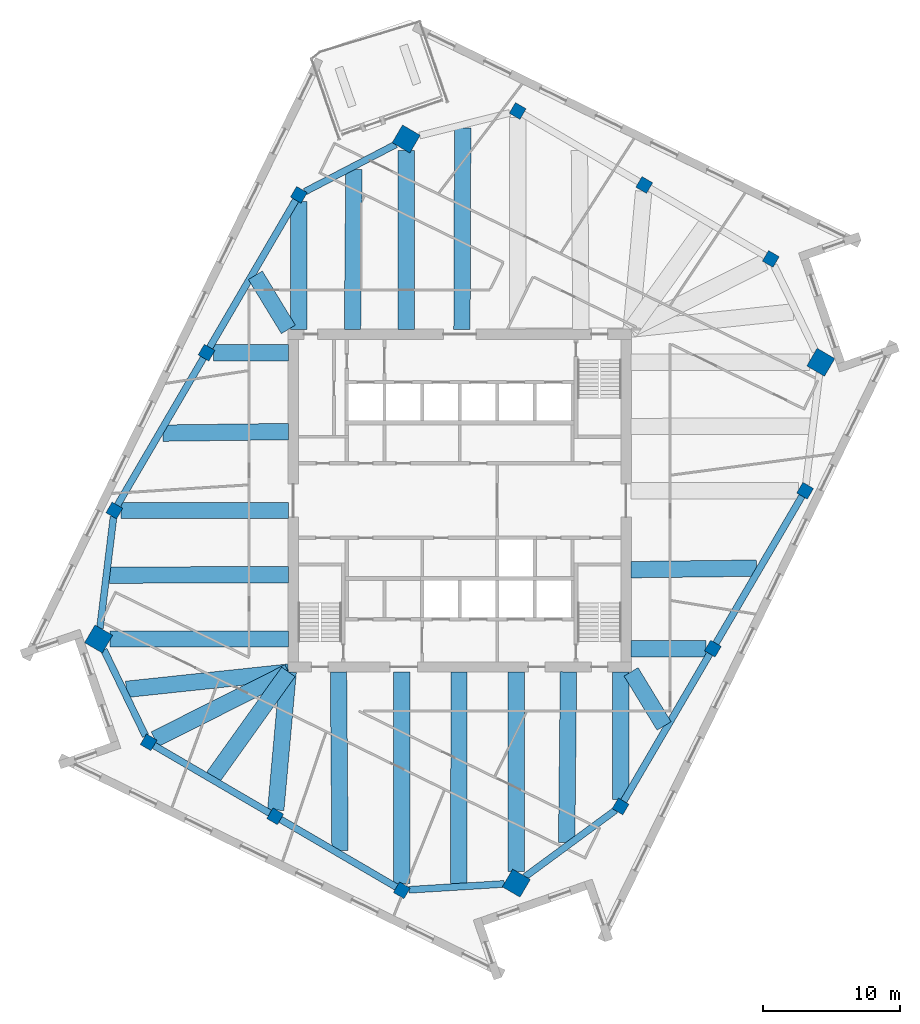
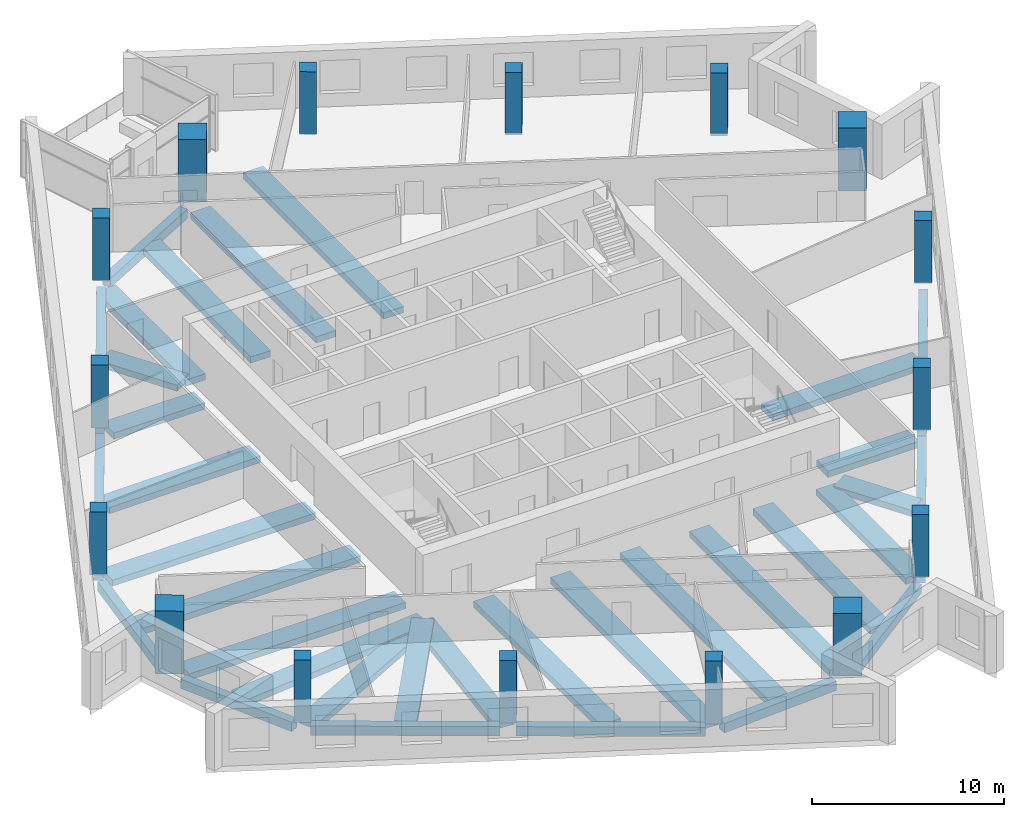
# One storey, part 1 of 13: 34 beams, 16 columns.
"""IFC4 building model written with IfcOpenShell, lengths in metres."""

from ifc_helpers import new_model, si_unit, direction, frame, origin, origin_2d, place, context, subcontext, project, spatial, rectangle, extrude, material, material_profile, profile_set, type_object, element, save


model = new_model("IFC4")

# Units and contexts
model_context = context("Model", 3, precision=1e-05, world=origin(), true_north=direction((0.0, 1.0)))
body_context = subcontext(model_context, "Body", "Model", "MODEL_VIEW")
ifc_project = project(units=[si_unit("LENGTHUNIT", "METRE"), si_unit("AREAUNIT", "SQUARE_METRE"), si_unit("VOLUMEUNIT", "CUBIC_METRE"), si_unit("PLANEANGLEUNIT", "RADIAN"), si_unit("MASSUNIT", "GRAM", prefix="KILO")], contexts=[model_context])

# Site, building, storey
site_placement = place(None, origin())
site = spatial("IfcSite", under=ifc_project, at=site_placement, CompositionType="ELEMENT")
building_placement = place(site_placement, origin())
building = spatial("IfcBuilding", under=site, at=building_placement, Name="Dilmun Exchange Tower", CompositionType="ELEMENT")
storey_placement = place(building_placement, frame((0.0, 0.0, 282.89990234375)))
storey = spatial("IfcBuildingStorey", under=building, at=storey_placement, Name="L67", CompositionType="ELEMENT", Elevation=282.89990234375)

# Columns
ifc_material_1 = material(Name="Concrete C50/60", Category="concrete")
ifc_material_profile_1 = material_profile(ifc_material_1, rectangle(XDim=1.5, YDim=1.5, at=origin_2d()), Name="1500 x 1500")
ifc_profile_set_1 = profile_set([ifc_material_profile_1], Name="Concrete C50/60")
column_type_1 = type_object("IfcColumnType", Name="RC mega column 1500 x 1500 C50/60", PredefinedType="COLUMN", material=ifc_profile_set_1)
for number, where, z_axis, x_axis, name in (
    (1, (-3.9150390625, 26.45703125, 0.0), (0.0, 0.0, 1.0), (0.504643651291, 0.863327739165, 0.0), "Mega column M1"),
    (2, (-26.4150390625, -10.1220703125, 0.0), (0.0, 0.0, 1.0), (0.504643651291, 0.863327739165, 0.0), "Mega column M2"),
    (3, (4.14111328125, -27.98291015625, 0.0), (0.0, 0.0, 1.0), (0.504643651291, 0.863327739165, 0.0), "Mega column M3"),
    (4, (26.4150390625, 10.1220703125, 0.0), (0.0, 0.0, 1.0), (0.504643651291, 0.863327739165, 0.0), "Mega column M4"),
):
    element("IfcColumn", number, at=place(storey_placement, frame(where, z_axis=z_axis, x_axis=x_axis)), inside=storey, type_object=column_type_1, Name=name, PredefinedType="COLUMN", context=body_context, shape_type="SweptSolid", body=[
        extrude(rectangle(XDim=1.5, YDim=1.5, at=origin_2d()), origin(), (0.0, 0.0, 1.0), 4.0),
    ])
ifc_material_profile_2 = material_profile(ifc_material_1, rectangle(XDim=0.89990234375, YDim=0.89990234375, at=origin_2d()), Name="900 x 900")
ifc_profile_set_2 = profile_set([ifc_material_profile_2], Name="Concrete C50/60")
column_type_2 = type_object("IfcColumnType", Name="RC ring column 900 x 900 C50/60", PredefinedType="COLUMN", material=ifc_profile_set_2)
for number, where, z_axis, x_axis, name in (
    (5, (-11.76904296875, 22.3720703125, 0.0), (0.0, 0.0, 1.0), (0.504643651291, 0.863327739165, 0.0), "Ring column R01"),
    (6, (-18.51806640625, 10.824951171875, 0.0), (0.0, 0.0, 1.0), (0.504643651291, 0.863327739165, 0.0), "Ring column R02"),
    (7, (-25.26806640625, -0.721923828125, 0.0), (0.0, 0.0, 1.0), (0.504643651291, 0.863327739165, 0.0), "Ring column R03"),
    (8, (-22.758056640625, -17.681884765625, 0.0), (0.0, 0.0, 1.0), (0.504643651291, 0.863327739165, 0.0), "Ring column R04"),
    (9, (-13.4990234375, -23.093994140625, 0.0), (0.0, 0.0, 1.0), (0.504643651291, 0.863327739165, 0.0), "Ring column R05"),
    (10, (-4.239990234375, -28.506103515625, 0.0), (0.0, 0.0, 1.0), (0.504643651291, 0.863327739165, 0.0), "Ring column R06"),
    (11, (11.76904296875, -22.3720703125, 0.0), (0.0, 0.0, 1.0), (0.504643651291, 0.863327739165, 0.0), "Ring column R07"),
    (12, (18.51806640625, -10.824951171875, 0.0), (0.0, 0.0, 1.0), (0.504643651291, 0.863327739165, 0.0), "Ring column R08"),
    (13, (25.26806640625, 0.721923828125, 0.0), (0.0, 0.0, 1.0), (0.504643651291, 0.863327739165, 0.0), "Ring column R09"),
    (14, (22.758056640625, 17.681884765625, 0.0), (0.0, 0.0, 1.0), (0.504643651291, 0.863327739165, 0.0), "Ring column R10"),
    (15, (13.4990234375, 23.093994140625, 0.0), (0.0, 0.0, 1.0), (0.504643651291, 0.863327739165, 0.0), "Ring column R11"),
    (16, (4.239990234375, 28.506103515625, 0.0), (0.0, 0.0, 1.0), (0.504643651291, 0.863327739165, 0.0), "Ring column R12"),
):
    element("IfcColumn", number, at=place(storey_placement, frame(where, z_axis=z_axis, x_axis=x_axis)), inside=storey, type_object=column_type_2, Name=name, PredefinedType="COLUMN", context=body_context, shape_type="SweptSolid", body=[
        extrude(rectangle(XDim=0.89990234375, YDim=0.89990234375, at=origin_2d()), origin(), (0.0, 0.0, 1.0), 4.0),
    ])

# Beams
ifc_material_2 = material(Name="Concrete C40/50", Category="concrete")
ifc_material_profile_3 = material_profile(ifc_material_2, rectangle(XDim=1.199951171875, YDim=0.39990234375, at=origin_2d()), Name="1200 x 400")
ifc_profile_set_3 = profile_set([ifc_material_profile_3], Name="Concrete C40/50")
beam_type_1 = type_object("IfcBeamType", Name="RC band beam 1200 x 400 C40/50", PredefinedType="BEAM", material=ifc_profile_set_3)
beam_1_placement = place(storey_placement, frame((-3.9150390625, 25.615234375, -0.659912109375), z_axis=(0.0, -1.0, 0.0), x_axis=(1.0, 0.0, 0.0)))
element("IfcBeam", 17, at=beam_1_placement, inside=storey, type_object=beam_type_1, Name="Band beam 1", PredefinedType="BEAM", context=body_context, shape_type="SweptSolid", body=[
    extrude(rectangle(XDim=1.199951171875, YDim=0.39990234375, at=origin_2d()), origin(), (0.0, 0.0, 1.0), 13.09228515625),
])
beam_2_placement = place(storey_placement, frame((-11.76904296875, 21.877685546875, -0.659912109375), z_axis=(0.0, -1.0, 0.0), x_axis=(1.0, 0.0, 0.0)))
element("IfcBeam", 18, at=beam_2_placement, inside=storey, type_object=beam_type_1, Name="Band beam 2", PredefinedType="BEAM", context=body_context, shape_type="SweptSolid", body=[
    extrude(rectangle(XDim=1.199951171875, YDim=0.39990234375, at=origin_2d()), origin(), (0.0, 0.0, 1.0), 9.354736328125),
])
beam_3_placement = place(storey_placement, frame((-18.023681640625, 10.824951171875, -0.659912109375), z_axis=(1.0, 0.0, 0.0), x_axis=(0.0, 1.0, 0.0)))
element("IfcBeam", 19, at=beam_3_placement, inside=storey, type_object=beam_type_1, Name="Band beam 3", PredefinedType="BEAM", context=body_context, shape_type="SweptSolid", body=[
    extrude(rectangle(XDim=1.199951171875, YDim=0.39990234375, at=origin_2d()), origin(), (0.0, 0.0, 1.0), 5.500732421875),
])
beam_4_placement = place(storey_placement, frame((-24.773681640625, -0.721923828125, -0.659912109375), z_axis=(1.0, 0.0, 0.0), x_axis=(0.0, 1.0, 0.0)))
element("IfcBeam", 20, at=beam_4_placement, inside=storey, type_object=beam_type_1, Name="Band beam 4", PredefinedType="BEAM", context=body_context, shape_type="SweptSolid", body=[
    extrude(rectangle(XDim=1.199951171875, YDim=0.39990234375, at=origin_2d()), origin(), (0.0, 0.0, 1.0), 12.250732421875),
])
beam_5_placement = place(storey_placement, frame((-25.5732421875, -10.1220703125, -0.659912109375), z_axis=(1.0, 0.0, 0.0), x_axis=(0.0, 1.0, 0.0)))
element("IfcBeam", 21, at=beam_5_placement, inside=storey, type_object=beam_type_1, Name="Band beam 5", PredefinedType="BEAM", context=body_context, shape_type="SweptSolid", body=[
    extrude(rectangle(XDim=1.199951171875, YDim=0.39990234375, at=origin_2d()), origin(), (0.0, 0.0, 1.0), 13.05029296875),
])
beam_6_placement = place(storey_placement, frame((-22.302734375, -17.453125, -0.659912109375), z_axis=(0.893443377394, 0.449175835716, 0.0), x_axis=(-0.449175835716, 0.893443377394, 0.0)))
element("IfcBeam", 22, at=beam_6_placement, inside=storey, type_object=beam_type_1, Name="Band beam 6", PredefinedType="BEAM", context=body_context, shape_type="SweptSolid", body=[
    extrude(rectangle(XDim=1.199951171875, YDim=0.39990234375, at=origin_2d()), origin(), (0.0, 0.0, 1.0), 10.94287109375),
])
beam_7_placement = place(storey_placement, frame((-13.456787109375, -22.625732421875, -0.659912109375), z_axis=(0.089632924375, 0.995974868593, 0.0), x_axis=(-0.995974868593, 0.089632924375, 0.0)))
element("IfcBeam", 23, at=beam_7_placement, inside=storey, type_object=beam_type_1, Name="Band beam 7", PredefinedType="BEAM", context=body_context, shape_type="SweptSolid", body=[
    extrude(rectangle(XDim=1.199951171875, YDim=0.39990234375, at=origin_2d()), origin(), (0.0, 0.0, 1.0), 10.143310546875),
])
beam_8_placement = place(storey_placement, frame((-4.239990234375, -28.01171875, -0.659912109375), z_axis=(0.0, 1.0, 0.0), x_axis=(-1.0, 0.0, 0.0)))
element("IfcBeam", 24, at=beam_8_placement, inside=storey, type_object=beam_type_1, Name="Band beam 8", PredefinedType="BEAM", context=body_context, shape_type="SweptSolid", body=[
    extrude(rectangle(XDim=1.199951171875, YDim=0.39990234375, at=origin_2d()), origin(), (0.0, 0.0, 1.0), 15.48876953125),
])
beam_9_placement = place(storey_placement, frame((4.14111328125, -27.141357421875, -0.659912109375), z_axis=(0.0, 1.0, 0.0), x_axis=(-1.0, 0.0, 0.0)))
element("IfcBeam", 25, at=beam_9_placement, inside=storey, type_object=beam_type_1, Name="Band beam 9", PredefinedType="BEAM", context=body_context, shape_type="SweptSolid", body=[
    extrude(rectangle(XDim=1.199951171875, YDim=0.39990234375, at=origin_2d()), origin(), (0.0, 0.0, 1.0), 14.618408203125),
])
beam_10_placement = place(storey_placement, frame((11.76904296875, -21.877685546875, -0.659912109375), z_axis=(0.0, 1.0, 0.0), x_axis=(-1.0, 0.0, 0.0)))
element("IfcBeam", 26, at=beam_10_placement, inside=storey, type_object=beam_type_1, Name="Band beam 10", PredefinedType="BEAM", context=body_context, shape_type="SweptSolid", body=[
    extrude(rectangle(XDim=1.199951171875, YDim=0.39990234375, at=origin_2d()), origin(), (0.0, 0.0, 1.0), 9.354736328125),
])
beam_11_placement = place(storey_placement, frame((18.023681640625, -10.824951171875, -0.659912109375), z_axis=(-1.0, 0.0, 0.0), x_axis=(0.0, -1.0, 0.0)))
element("IfcBeam", 27, at=beam_11_placement, inside=storey, type_object=beam_type_1, Name="Band beam 11", PredefinedType="BEAM", context=body_context, shape_type="SweptSolid", body=[
    extrude(rectangle(XDim=1.199951171875, YDim=0.39990234375, at=origin_2d()), origin(), (0.0, 0.0, 1.0), 5.500732421875),
])
beam_12_placement = place(storey_placement, frame((-7.739013671875, 24.216796875, -0.559814453125), z_axis=(-0.008810046818, -0.999961190784, 0.0), x_axis=(0.999961190784, -0.008810046818, 0.0)))
element("IfcBeam", 28, at=beam_12_placement, inside=storey, type_object=beam_type_1, Name="Band beam 17", PredefinedType="BEAM", context=body_context, shape_type="SweptSolid", body=[
    extrude(rectangle(XDim=1.199951171875, YDim=0.39990234375, at=origin_2d()), origin(), (0.0, 0.0, 1.0), 11.6943359375),
])
beam_13_placement = place(storey_placement, frame((-14.950927734375, 16.486083984375, -0.559814453125), z_axis=(0.520868546878, -0.853636899901, 0.0), x_axis=(0.853636899901, 0.520868546878, 0.0)))
element("IfcBeam", 29, at=beam_13_placement, inside=storey, type_object=beam_type_1, Name="Band beam 18", PredefinedType="BEAM", context=body_context, shape_type="SweptSolid", body=[
    extrude(rectangle(XDim=1.199951171875, YDim=0.39990234375, at=origin_2d()), origin(), (0.0, 0.0, 1.0), 4.637451171875),
])
beam_14_placement = place(storey_placement, frame((-21.700439453125, 4.93896484375, -0.559814453125), z_axis=(0.999924810861, 0.01226265164, 0.0), x_axis=(-0.01226265164, 0.999924810861, 0.0)))
element("IfcBeam", 30, at=beam_14_placement, inside=storey, type_object=beam_type_1, Name="Band beam 19", PredefinedType="BEAM", context=body_context, shape_type="SweptSolid", body=[
    extrude(rectangle(XDim=1.199951171875, YDim=0.39990234375, at=origin_2d()), origin(), (0.0, 0.0, 1.0), 9.17822265625),
])
beam_15_placement = place(storey_placement, frame((-25.6201171875, -5.448974609375, -0.559814453125), z_axis=(0.999997897774, 0.002050474756, 0.0), x_axis=(-0.002050474756, 0.999997897774, 0.0)))
element("IfcBeam", 31, at=beam_15_placement, inside=storey, type_object=beam_type_1, Name="Band beam 20", PredefinedType="BEAM", context=body_context, shape_type="SweptSolid", body=[
    extrude(rectangle(XDim=1.199951171875, YDim=0.39990234375, at=origin_2d()), origin(), (0.0, 0.0, 1.0), 13.09716796875),
])
beam_16_placement = place(storey_placement, frame((-24.3857421875, -13.804931640625, -0.559814453125), z_axis=(0.994425543871, 0.105441157505, 0.0), x_axis=(-0.105441157505, 0.994425543871, 0.0)))
element("IfcBeam", 32, at=beam_16_placement, inside=storey, type_object=beam_type_1, Name="Band beam 21", PredefinedType="BEAM", context=body_context, shape_type="SweptSolid", body=[
    extrude(rectangle(XDim=1.199951171875, YDim=0.39990234375, at=origin_2d()), origin(), (0.0, 0.0, 1.0), 11.928955078125),
])
beam_17_placement = place(storey_placement, frame((-18.01611328125, -20.195556640625, -0.559814453125), z_axis=(0.581600762294, 0.81347437163, 0.0), x_axis=(-0.81347437163, 0.581600762294, 0.0)))
element("IfcBeam", 33, at=beam_17_placement, inside=storey, type_object=beam_type_1, Name="Band beam 22", PredefinedType="BEAM", context=body_context, shape_type="SweptSolid", body=[
    extrude(rectangle(XDim=1.199951171875, YDim=0.39990234375, at=origin_2d()), origin(), (0.0, 0.0, 1.0), 9.425537109375),
])
beam_18_placement = place(storey_placement, frame((-8.757080078125, -25.607421875, -0.559814453125), z_axis=(-0.008582734208, 0.999963167658, 0.0), x_axis=(-0.999963167658, -0.008582734208, 0.0)))
element("IfcBeam", 34, at=beam_18_placement, inside=storey, type_object=beam_type_1, Name="Band beam 23", PredefinedType="BEAM", context=body_context, shape_type="SweptSolid", body=[
    extrude(rectangle(XDim=1.199951171875, YDim=0.39990234375, at=origin_2d()), origin(), (0.0, 0.0, 1.0), 13.0849609375),
])
beam_19_placement = place(storey_placement, frame((-0.0634765625, -28.02197265625, -0.559814453125), z_axis=(0.000897863667, 0.99999959692, 0.0), x_axis=(-0.99999959692, 0.000897863667, 0.0)))
element("IfcBeam", 35, at=beam_19_placement, inside=storey, type_object=beam_type_1, Name="Band beam 24", PredefinedType="BEAM", context=body_context, shape_type="SweptSolid", body=[
    extrude(rectangle(XDim=1.199951171875, YDim=0.39990234375, at=origin_2d()), origin(), (0.0, 0.0, 1.0), 15.4990234375),
])
beam_20_placement = place(storey_placement, frame((7.822998046875, -24.997802734375, -0.559814453125), z_axis=(0.010587112348, 0.999943954956, 0.0), x_axis=(-0.999943954956, 0.010587112348, 0.0)))
element("IfcBeam", 36, at=beam_20_placement, inside=storey, type_object=beam_type_1, Name="Band beam 25", PredefinedType="BEAM", context=body_context, shape_type="SweptSolid", body=[
    extrude(rectangle(XDim=1.199951171875, YDim=0.39990234375, at=origin_2d()), origin(), (0.0, 0.0, 1.0), 12.4755859375),
])
beam_21_placement = place(storey_placement, frame((14.950927734375, -16.486083984375, -0.559814453125), z_axis=(-0.520868546878, 0.853636899901, 0.0), x_axis=(-0.853636899901, -0.520868546878, 0.0)))
element("IfcBeam", 37, at=beam_21_placement, inside=storey, type_object=beam_type_1, Name="Band beam 26", PredefinedType="BEAM", context=body_context, shape_type="SweptSolid", body=[
    extrude(rectangle(XDim=1.199951171875, YDim=0.39990234375, at=origin_2d()), origin(), (0.0, 0.0, 1.0), 4.637451171875),
])
beam_22_placement = place(storey_placement, frame((21.700439453125, -4.93896484375, -0.559814453125), z_axis=(-0.999924810861, -0.01226265164, 0.0), x_axis=(0.01226265164, -0.999924810861, 0.0)))
element("IfcBeam", 38, at=beam_22_placement, inside=storey, type_object=beam_type_1, Name="Band beam 27", PredefinedType="BEAM", context=body_context, shape_type="SweptSolid", body=[
    extrude(rectangle(XDim=1.199951171875, YDim=0.39990234375, at=origin_2d()), origin(), (0.0, 0.0, 1.0), 9.17822265625),
])
beam_23_placement = place(storey_placement, frame((0.216796875, 27.26513671875, -0.559814453125), z_axis=(-0.003676445742, -0.999993241851, 0.0), x_axis=(0.999993241851, -0.003676445742, 0.0)))
element("IfcBeam", 39, at=beam_23_placement, inside=storey, type_object=beam_type_1, Name="Band beam 32", PredefinedType="BEAM", context=body_context, shape_type="SweptSolid", body=[
    extrude(rectangle(XDim=1.199951171875, YDim=0.39990234375, at=origin_2d()), origin(), (0.0, 0.0, 1.0), 14.7421875),
])
ifc_material_profile_4 = material_profile(ifc_material_2, rectangle(XDim=0.5, YDim=0.60009765625, at=origin_2d()), Name="500 x 600")
ifc_profile_set_4 = profile_set([ifc_material_profile_4], Name="Concrete C40/50")
beam_type_2 = type_object("IfcBeamType", Name="RC ring beam 500 x 600 C40/50", PredefinedType="SPANDREL", material=ifc_profile_set_4)
beam_24_placement = place(storey_placement, frame((-4.677490234375, 26.060302734375, -0.659912109375), z_axis=(-0.887179966585, -0.461423565599, 0.0), x_axis=(0.461423565599, -0.887179966585, 0.0)))
element("IfcBeam", 40, at=beam_24_placement, inside=storey, type_object=beam_type_2, Name="Ring beam 1", PredefinedType="SPANDREL", context=body_context, shape_type="SweptSolid", body=[
    extrude(rectangle(XDim=0.5, YDim=0.60009765625, at=origin_2d()), origin(), (0.0, 0.0, 1.0), 7.48828125),
])
beam_25_placement = place(storey_placement, frame((-11.982421875, 22.0068359375, -0.659912109375), z_axis=(-0.504603860956, -0.863350996703, 0.0), x_axis=(0.863350996703, -0.504603860956, 0.0)))
element("IfcBeam", 41, at=beam_25_placement, inside=storey, type_object=beam_type_2, Name="Ring beam 2", PredefinedType="SPANDREL", context=body_context, shape_type="SweptSolid", body=[
    extrude(rectangle(XDim=0.5, YDim=0.60009765625, at=origin_2d()), origin(), (0.0, 0.0, 1.0), 12.528564453125),
])
beam_26_placement = place(storey_placement, frame((-18.7314453125, 10.459716796875, -0.659912109375), z_axis=(-0.504670446374, -0.863312075994, 0.0), x_axis=(0.863312075994, -0.504670446374, 0.0)))
element("IfcBeam", 42, at=beam_26_placement, inside=storey, type_object=beam_type_2, Name="Ring beam 3", PredefinedType="SPANDREL", context=body_context, shape_type="SweptSolid", body=[
    extrude(rectangle(XDim=0.5, YDim=0.60009765625, at=origin_2d()), origin(), (0.0, 0.0, 1.0), 12.529052734375),
])
beam_27_placement = place(storey_placement, frame((-25.32421875, -1.181640625, -0.659912109375), z_axis=(-0.121108645076, -0.992639257781, 0.0), x_axis=(0.992639257781, -0.121108645076, 0.0)))
element("IfcBeam", 43, at=beam_27_placement, inside=storey, type_object=beam_type_2, Name="Ring beam 4", PredefinedType="SPANDREL", context=body_context, shape_type="SweptSolid", body=[
    extrude(rectangle(XDim=0.5, YDim=0.60009765625, at=origin_2d()), origin(), (0.0, 0.0, 1.0), 8.216796875),
])
beam_28_placement = place(storey_placement, frame((-26.033447265625, -10.910888671875, -0.659912109375), z_axis=(0.435439794363, -0.900217854458, 0.0), x_axis=(0.900217854458, 0.435439794363, 0.0)))
element("IfcBeam", 44, at=beam_28_placement, inside=storey, type_object=beam_type_2, Name="Ring beam 5", PredefinedType="SPANDREL", context=body_context, shape_type="SweptSolid", body=[
    extrude(rectangle(XDim=0.5, YDim=0.60009765625, at=origin_2d()), origin(), (0.0, 0.0, 1.0), 7.0068359375),
])
beam_29_placement = place(storey_placement, frame((-22.392822265625, -17.8955078125, -0.659912109375), z_axis=(0.863333071594, -0.504634528637, 0.0), x_axis=(0.504634528637, 0.863333071594, 0.0)))
element("IfcBeam", 45, at=beam_29_placement, inside=storey, type_object=beam_type_2, Name="Ring beam 6", PredefinedType="SPANDREL", context=body_context, shape_type="SweptSolid", body=[
    extrude(rectangle(XDim=0.5, YDim=0.60009765625, at=origin_2d()), origin(), (0.0, 0.0, 1.0), 9.878662109375),
])
beam_30_placement = place(storey_placement, frame((-13.1337890625, -23.3076171875, -0.659912109375), z_axis=(0.863343838609, -0.504616107884, 0.0), x_axis=(0.504616107884, 0.863343838609, 0.0)))
element("IfcBeam", 46, at=beam_30_placement, inside=storey, type_object=beam_type_2, Name="Ring beam 7", PredefinedType="SPANDREL", context=body_context, shape_type="SweptSolid", body=[
    extrude(rectangle(XDim=0.5, YDim=0.60009765625, at=origin_2d()), origin(), (0.0, 0.0, 1.0), 9.87841796875),
])
beam_31_placement = place(storey_placement, frame((-3.72607421875, -28.473876953125, -0.659912109375), z_axis=(0.998059216844, 0.062271981443, 0.0), x_axis=(-0.062271981443, 0.998059216844, 0.0)))
element("IfcBeam", 47, at=beam_31_placement, inside=storey, type_object=beam_type_2, Name="Ring beam 8", PredefinedType="SPANDREL", context=body_context, shape_type="SweptSolid", body=[
    extrude(rectangle(XDim=0.5, YDim=0.60009765625, at=origin_2d()), origin(), (0.0, 0.0, 1.0), 7.006103515625),
])
beam_32_placement = place(storey_placement, frame((4.77734375, -27.514892578125, -0.659912109375), z_axis=(0.805549228719, 0.592528851711, 0.0), x_axis=(-0.592528851711, 0.805549228719, 0.0)))
element("IfcBeam", 48, at=beam_32_placement, inside=storey, type_object=beam_type_2, Name="Ring beam 9", PredefinedType="SPANDREL", context=body_context, shape_type="SweptSolid", body=[
    extrude(rectangle(XDim=0.5, YDim=0.60009765625, at=origin_2d()), origin(), (0.0, 0.0, 1.0), 8.21630859375),
])
beam_33_placement = place(storey_placement, frame((11.982421875, -22.0068359375, -0.659912109375), z_axis=(0.504603860956, 0.863350996703, 0.0), x_axis=(-0.863350996703, 0.504603860956, 0.0)))
element("IfcBeam", 49, at=beam_33_placement, inside=storey, type_object=beam_type_2, Name="Ring beam 10", PredefinedType="SPANDREL", context=body_context, shape_type="SweptSolid", body=[
    extrude(rectangle(XDim=0.5, YDim=0.60009765625, at=origin_2d()), origin(), (0.0, 0.0, 1.0), 12.528564453125),
])
beam_34_placement = place(storey_placement, frame((18.7314453125, -10.459716796875, -0.659912109375), z_axis=(0.504670446374, 0.863312075994, 0.0), x_axis=(-0.863312075994, 0.504670446374, 0.0)))
element("IfcBeam", 50, at=beam_34_placement, inside=storey, type_object=beam_type_2, Name="Ring beam 11", PredefinedType="SPANDREL", context=body_context, shape_type="SweptSolid", body=[
    extrude(rectangle(XDim=0.5, YDim=0.60009765625, at=origin_2d()), origin(), (0.0, 0.0, 1.0), 12.529052734375),
])

save(model, "model.ifc")
